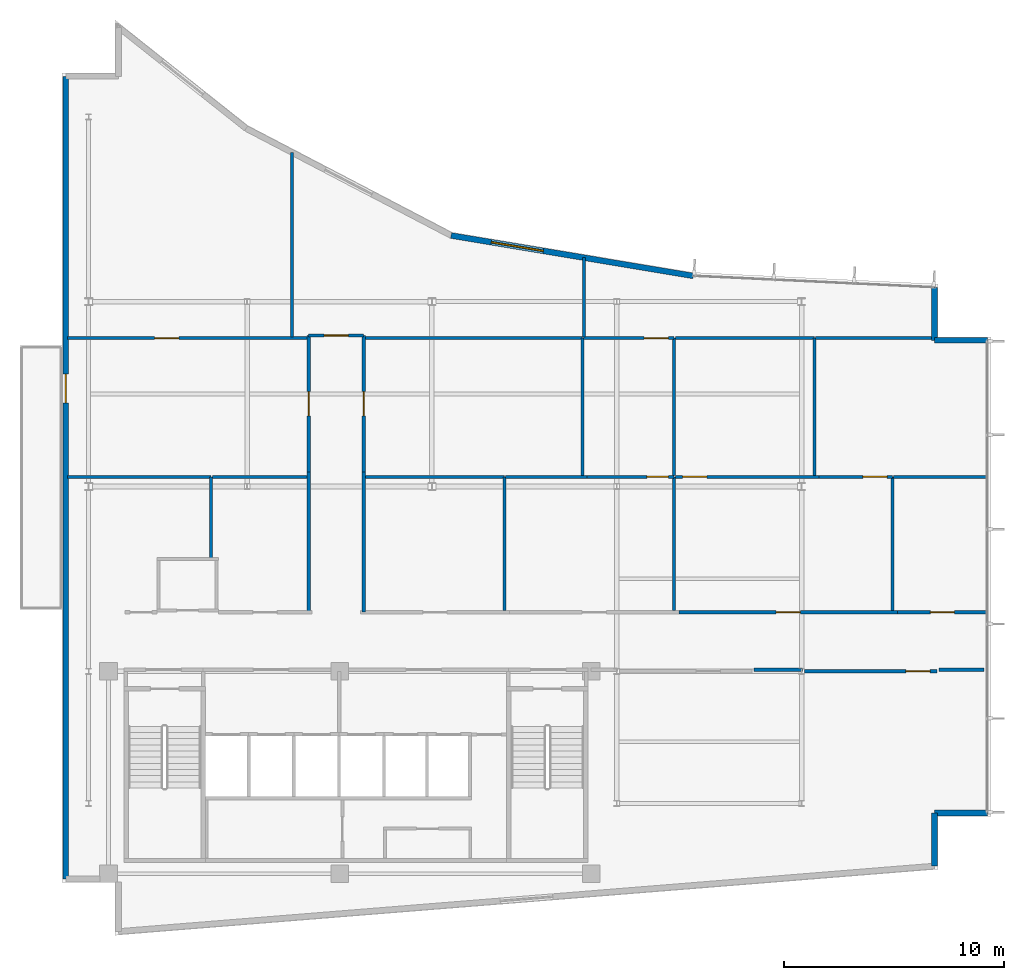
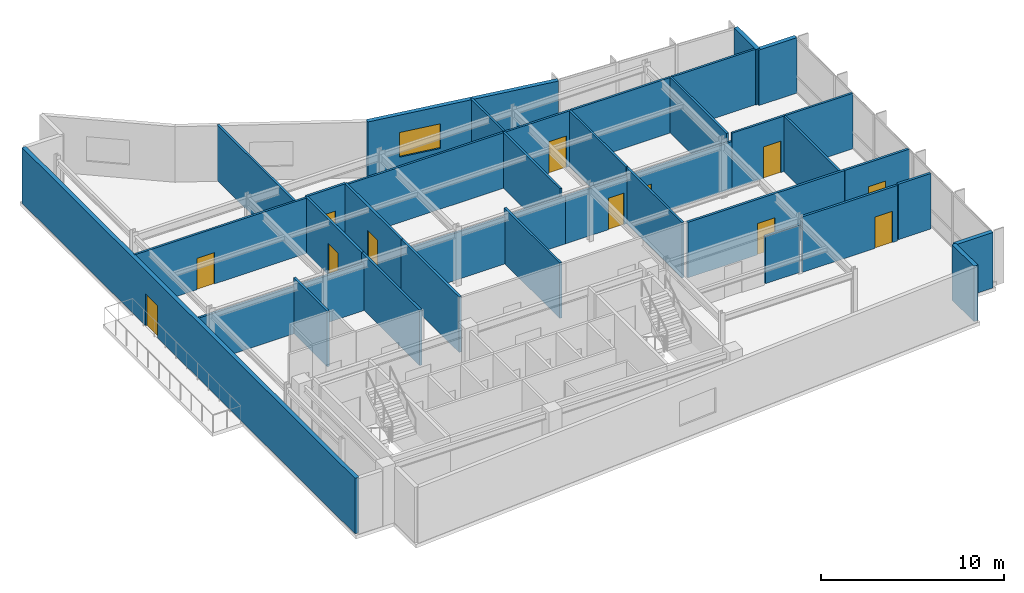
# One storey, part 12 of 16: 38 walls, 12 doors, 1 window, 13 openings.
"""IFC4 building model written with IfcOpenShell, lengths in metres."""

from ifc_helpers import new_model, si_unit, direction, frame, frame_2d, origin, place, context, subcontext, project, spatial, rectangle, extrude, material, layer, layer_set, type_object, element, fill, save


model = new_model("IFC4")

# Units and contexts
model_context = context("Model", 3, precision=1e-05, world=origin(), true_north=direction((0.0, 1.0)))
body_context = subcontext(model_context, "Body", "Model", "MODEL_VIEW")
ifc_project = project(units=[si_unit("LENGTHUNIT", "METRE"), si_unit("AREAUNIT", "SQUARE_METRE"), si_unit("VOLUMEUNIT", "CUBIC_METRE"), si_unit("PLANEANGLEUNIT", "RADIAN"), si_unit("MASSUNIT", "GRAM", prefix="KILO")], contexts=[model_context])

# Site, building, storey
site_placement = place(None, origin())
site = spatial("IfcSite", under=ifc_project, at=site_placement, CompositionType="ELEMENT")
building_placement = place(site_placement, origin())
building = spatial("IfcBuilding", under=site, at=building_placement, Name="Varnakote Quay Hospital", CompositionType="ELEMENT")
storey_placement = place(building_placement, frame((0.0, 0.0, 268.39990234375)))
storey = spatial("IfcBuildingStorey", under=building, at=storey_placement, Name="L66", CompositionType="ELEMENT", Elevation=268.39990234375)

# Walls
ifc_material_1 = material(Name="Fire-rated acoustic gypsum stud wall", Category="gypsum")
ifc_layer_1 = layer(ifc_material_1, 0.159912109375)
ifc_layer_set_1 = layer_set([ifc_layer_1], Name="Fire-rated acoustic gypsum stud wall")
wall_type_1 = type_object("IfcWallType", Name="WL-COMP-160", PredefinedType="PARTITIONING", material=ifc_layer_set_1)
wall_1_placement = place(storey_placement, frame((31.439208984375, 12.080078125, 0.0), z_axis=(0.0, 0.0, 1.0), x_axis=(1.0, 0.0, 0.0)))
element("IfcWall", 1, at=wall_1_placement, inside=storey, type_object=wall_type_1, Name="L66 Corridor South Gap Wall", PredefinedType="PARTITIONING", context=body_context, shape_type="SweptSolid", body=[
    extrude(rectangle(XDim=2.198486328125, YDim=0.159912109375, at=frame_2d((1.09912109375, 0.0))), origin(), (0.0, 0.0, 1.0), 3.156982421875),
])
wall_2_placement = place(storey_placement, frame((39.83935546875, 12.080078125, 0.0), z_axis=(0.0, 0.0, 1.0), x_axis=(1.0, 0.0, 0.0)))
element("IfcWall", 2, at=wall_2_placement, inside=storey, type_object=wall_type_1, Name="L66 Corridor South Gap Wall", PredefinedType="PARTITIONING", context=body_context, shape_type="SweptSolid", body=[
    extrude(rectangle(XDim=2.060546875, YDim=0.159912109375, at=frame_2d((1.0302734375, 0.0))), origin(), (0.0, 0.0, 1.0), 3.710205078125),
])
ifc_material_2 = material(Name="Precast concrete N50 (f'c 50 MPa)", Category="concrete")
ifc_layer_2 = layer(ifc_material_2, 0.260009765625)
ifc_layer_set_2 = layer_set([ifc_layer_2], Name="Precast concrete N50 (f'c 50 MPa)")
wall_type_2 = type_object("IfcWallType", Name="WL-EXT-BRICK-260", PredefinedType="STANDARD", material=ifc_layer_set_2)
wall_3_placement = place(storey_placement, frame((39.639892578125, 3.147705078125, 0.0), z_axis=(0.0, 0.0, 1.0), x_axis=(0.0, 1.0, 0.0)))
element("IfcWall", 3, at=wall_3_placement, inside=storey, type_object=wall_type_2, Name="L66 Brick-Faced Precast Exterior Wall", PredefinedType="STANDARD", context=body_context, shape_type="SweptSolid", body=[
    extrude(rectangle(XDim=2.412353515625, YDim=0.260009765625, at=frame_2d((1.2060546875, 0.0))), origin(), (0.0, 0.0, 1.0), 3.710205078125),
])
for number, where, z_axis, x_axis, name in (
    (4, (39.639892578125, 5.56005859375, 0.0), (0.0, 0.0, 1.0), (1.0, 0.0, 0.0), "L66 Brick-Faced Precast Exterior Wall"),
    (5, (42.0400390625, 27.0400390625, 0.0), (0.0, 0.0, 1.0), (-1.0, 0.0, 0.0), "L66 Brick-Faced Precast Exterior Wall"),
):
    element("IfcWall", number, at=place(storey_placement, frame(where, z_axis=z_axis, x_axis=x_axis)), inside=storey, type_object=wall_type_2, Name=name, PredefinedType="STANDARD", context=body_context, shape_type="SweptSolid", body=[
        extrude(rectangle(XDim=2.400146484375, YDim=0.260009765625, at=frame_2d((1.2001953125, 0.0))), origin(), (0.0, 0.0, 1.0), 3.710205078125),
    ])
wall_4_placement = place(storey_placement, frame((39.639892578125, 27.0400390625, 0.0), z_axis=(0.0, 0.0, 1.0), x_axis=(0.0, 1.0, 0.0)))
element("IfcWall", 6, at=wall_4_placement, inside=storey, type_object=wall_type_2, Name="L66 Brick-Faced Precast Exterior Wall", PredefinedType="STANDARD", context=body_context, shape_type="SweptSolid", body=[
    extrude(rectangle(XDim=2.407470703125, YDim=0.260009765625, at=frame_2d((1.20361328125, 0.0))), origin(), (0.0, 0.0, 1.0), 3.710205078125),
])

# Wall, opening, window
wall_5_placement = place(storey_placement, frame((28.678955078125, 29.968505859375, 0.0), z_axis=(0.0, 0.0, 1.0), x_axis=(-0.986343023061, 0.164704100918, 0.0)))
wall_5 = element("IfcWall", 7, at=wall_5_placement, inside=storey, type_object=wall_type_2, Name="L66 Brick-Faced Precast Exterior Wall", PredefinedType="STANDARD", context=body_context, shape_type="SweptSolid", body=[
    extrude(rectangle(XDim=11.15869140625, YDim=0.260009765625, at=frame_2d((5.579345703125, 0.0))), origin(), (0.0, 0.0, 1.0), 3.710205078125),
])
opening_1_placement = place(wall_5_placement, frame((6.908203125, 0.0, 0.89990234375)))
opening_1 = element("IfcOpeningElement", 8, at=opening_1_placement, cuts=wall_5, Name="Opening WN-0267", PredefinedType="OPENING", context=body_context, shape_type="SweptSolid", body=[
    extrude(rectangle(XDim=2.39990234375, YDim=1.64990234375, at=frame_2d((1.199951171875, 0.824951171875))), frame((0.0, 0.139892578125, 0.0), z_axis=(0.0, -1.0, 0.0), x_axis=(1.0, 0.0, 0.0)), (0.0, 0.0, 1.0), 0.280029296875),
])
ifc_material_3 = material(Name="Double-glazed low-E solar glass", Category="glass")
window_type = type_object("IfcWindowType", Name="WIN-CLIN-2400x1650", PartitioningType="SINGLE_PANEL", PredefinedType="WINDOW", material=ifc_material_3)
window_placement = place(opening_1_placement, origin())
window = element("IfcWindow", 9, at=window_placement, inside=storey, type_object=window_type, Name="L66 Solar-Control Clinical Window", OverallHeight=1.64990234375, OverallWidth=2.39990234375, PartitioningType="SINGLE_PANEL", PredefinedType="WINDOW", context=body_context, shape_type="SweptSolid", body=[
    extrude(rectangle(XDim=2.39990234375, YDim=1.64990234375, at=frame_2d((1.199951171875, 0.824951171875))), frame((0.0, 0.030029296875, 0.0), z_axis=(0.0, -1.0, 0.0), x_axis=(1.0, 0.0, 0.0)), (0.0, 0.0, 1.0), 0.06005859375),
])
fill(opening_1, window)

# Wall, opening, door
wall_6_placement = place(storey_placement, frame((0.159912109375, 39.0400390625, 0.0), z_axis=(0.0, 0.0, 1.0), x_axis=(0.0, -1.0, 0.0)))
wall_6 = element("IfcWall", 10, at=wall_6_placement, inside=storey, type_object=wall_type_2, Name="L66 Healing Terrace Portal Brick Wall", PredefinedType="STANDARD", context=body_context, shape_type="SweptSolid", body=[
    extrude(rectangle(XDim=36.47998046875, YDim=0.260009765625, at=frame_2d((18.239990234375, 0.0))), origin(), (0.0, 0.0, 1.0), 3.710205078125),
])
opening_2_placement = place(wall_6_placement, frame((13.53662109375, 0.0, 0.0)))
opening_2 = element("IfcOpeningElement", 11, at=opening_2_placement, cuts=wall_6, Name="Opening DT-L66", PredefinedType="OPENING", context=body_context, shape_type="SweptSolid", body=[
    extrude(rectangle(XDim=1.300048828125, YDim=2.14990234375, at=frame_2d((0.64990234375, 1.074951171875))), frame((0.0, 0.139892578125, 0.0), z_axis=(0.0, -1.0, 0.0), x_axis=(1.0, 0.0, 0.0)), (0.0, 0.0, 1.0), 0.280029296875),
])
ifc_material_4 = material(Name="Anodised aluminium glazed terrace door", Category="aluminium")
door_type_1 = type_object("IfcDoorType", Name="DR-EXT-TERR-1300x2150", OperationType="NOTDEFINED", PredefinedType="DOOR", material=ifc_material_4)
door_1_placement = place(opening_2_placement, origin())
door_1 = element("IfcDoor", 12, at=door_1_placement, inside=storey, type_object=door_type_1, Name="L66 Waterfront Healing Terrace Door", OperationType="SINGLE_SWING_LEFT", OverallHeight=2.14990234375, OverallWidth=1.300048828125, PredefinedType="DOOR", context=body_context, shape_type="SweptSolid", body=[
    extrude(rectangle(XDim=1.300048828125, YDim=2.14990234375, at=frame_2d((0.64990234375, 1.074951171875))), frame((0.0, 0.02490234375, 0.0), z_axis=(0.0, -1.0, 0.0), x_axis=(1.0, 0.0, 0.0)), (0.0, 0.0, 1.0), 0.050048828125),
])
fill(opening_2, door_1)

# Walls
ifc_material_5 = material(Name="Smoke-proof clinical partition", Category="gypsum")
ifc_layer_3 = layer(ifc_material_5, 0.135009765625)
ifc_layer_set_3 = layer_set([ifc_layer_3], Name="Smoke-proof clinical partition")
wall_type_3 = type_object("IfcWallType", Name="WL-SMOKE-135", PredefinedType="PARTITIONING", material=ifc_layer_set_3)
wall_7_placement = place(storey_placement, frame((6.760009765625, 17.139892578125, 0.0), z_axis=(0.0, 0.0, 1.0), x_axis=(0.0, 1.0, 0.0)))
element("IfcWall", 13, at=wall_7_placement, inside=storey, type_object=wall_type_3, Name="L66 Clinical Interior Partition", PredefinedType="PARTITIONING", context=body_context, shape_type="SweptSolid", body=[
    extrude(rectangle(XDim=3.7001953125, YDim=0.135009765625, at=frame_2d((1.85009765625, 0.0))), origin(), (0.0, 0.0, 1.0), 3.710205078125),
])
wall_8_placement = place(storey_placement, frame((6.760009765625, 20.840087890625, 0.0), z_axis=(0.0, 0.0, 1.0), x_axis=(-1.0, 0.0, 0.0)))
element("IfcWall", 14, at=wall_8_placement, inside=storey, type_object=wall_type_3, Name="L66 Clinical Interior Partition", PredefinedType="PARTITIONING", context=body_context, shape_type="SweptSolid", body=[
    extrude(rectangle(XDim=6.52001953125, YDim=0.135009765625, at=frame_2d((3.260009765625, 0.0))), origin(), (0.0, 0.0, 1.0), 3.156982421875),
])
wall_9_placement = place(storey_placement, frame((11.1201171875, 20.840087890625, 0.0), z_axis=(0.0, 0.0, 1.0), x_axis=(-1.0, 0.0, 0.0)))
element("IfcWall", 15, at=wall_9_placement, inside=storey, type_object=wall_type_3, Name="L66 Clinical Interior Partition", PredefinedType="PARTITIONING", context=body_context, shape_type="SweptSolid", body=[
    extrude(rectangle(XDim=4.302734375, YDim=0.135009765625, at=frame_2d((2.1513671875, 0.0))), origin(), (0.0, 0.0, 1.0), 3.156982421875),
])
wall_10_placement = place(storey_placement, frame((20.090087890625, 14.760009765625, 0.0), z_axis=(0.0, 0.0, 1.0), x_axis=(0.0, 1.0, 0.0)))
element("IfcWall", 16, at=wall_10_placement, inside=storey, type_object=wall_type_3, Name="L66 Clinical Interior Partition", PredefinedType="PARTITIONING", context=body_context, shape_type="SweptSolid", body=[
    extrude(rectangle(XDim=6.080078125, YDim=0.135009765625, at=frame_2d((3.0400390625, 0.0))), origin(), (0.0, 0.0, 1.0), 3.710205078125),
])
wall_11_placement = place(storey_placement, frame((20.090087890625, 20.840087890625, 0.0), z_axis=(0.0, 0.0, 1.0), x_axis=(-1.0, 0.0, 0.0)))
element("IfcWall", 17, at=wall_11_placement, inside=storey, type_object=wall_type_3, Name="L66 Clinical Interior Partition", PredefinedType="PARTITIONING", context=body_context, shape_type="SweptSolid", body=[
    extrude(rectangle(XDim=6.31005859375, YDim=0.135009765625, at=frame_2d((3.155029296875, 0.0))), origin(), (0.0, 0.0, 1.0), 3.156982421875),
])
wall_12_placement = place(storey_placement, frame((27.81005859375, 14.760009765625, 0.0), z_axis=(0.0, 0.0, 1.0), x_axis=(0.0, 1.0, 0.0)))
element("IfcWall", 18, at=wall_12_placement, inside=storey, type_object=wall_type_3, Name="L66 Clinical Interior Partition", PredefinedType="PARTITIONING", context=body_context, shape_type="SweptSolid", body=[
    extrude(rectangle(XDim=6.080078125, YDim=0.135009765625, at=frame_2d((3.0400390625, 0.0))), origin(), (0.0, 0.0, 1.0), 3.710205078125),
])
wall_13_placement = place(storey_placement, frame((23.847412109375, 20.840087890625, 0.0), z_axis=(0.0, 0.0, 1.0), x_axis=(-1.0, 0.0, 0.0)))
element("IfcWall", 19, at=wall_13_placement, inside=storey, type_object=wall_type_3, Name="L66 Clinical Interior Partition", PredefinedType="PARTITIONING", context=body_context, shape_type="SweptSolid", body=[
    extrude(rectangle(XDim=3.699951171875, YDim=0.135009765625, at=frame_2d((1.85009765625, 0.0))), origin(), (0.0, 0.0, 1.0), 3.156982421875),
])

# Wall, opening, door
wall_14_placement = place(storey_placement, frame((27.81005859375, 20.840087890625, 0.0), z_axis=(0.0, 0.0, 1.0), x_axis=(-1.0, 0.0, 0.0)))
wall_14 = element("IfcWall", 20, at=wall_14_placement, inside=storey, type_object=wall_type_3, Name="L66 Clinical Interior Partition", PredefinedType="PARTITIONING", context=body_context, shape_type="SweptSolid", body=[
    extrude(rectangle(XDim=3.96044921875, YDim=0.135009765625, at=frame_2d((1.980224609375, 0.0))), origin(), (0.0, 0.0, 1.0), 3.156982421875),
])
opening_3_placement = place(wall_14_placement, frame((0.264404296875, 0.0, 0.0)))
opening_3 = element("IfcOpeningElement", 21, at=opening_3_placement, cuts=wall_14, Name="Opening D-L66-MD08", PredefinedType="OPENING", context=body_context, shape_type="SweptSolid", body=[
    extrude(rectangle(XDim=0.97998046875, YDim=2.10009765625, at=frame_2d((0.489990234375, 1.050048828125))), frame((0.0, 0.077392578125, 0.0), z_axis=(0.0, -1.0, 0.0), x_axis=(1.0, 0.0, 0.0)), (0.0, 0.0, 1.0), 0.155029296875),
])
ifc_material_6 = material(Name="Accessible sanitary compartment door")
door_type_2 = type_object("IfcDoorType", Name="DR-WC-980x2100", OperationType="NOTDEFINED", PredefinedType="DOOR", material=ifc_material_6)
door_2_placement = place(opening_3_placement, origin())
door_2 = element("IfcDoor", 22, at=door_2_placement, inside=storey, type_object=door_type_2, Name="L66 Senior Clinician Office Door", OperationType="SINGLE_SWING_RIGHT", OverallHeight=2.10009765625, OverallWidth=0.97998046875, PredefinedType="DOOR", context=body_context, shape_type="SweptSolid", body=[
    extrude(rectangle(XDim=0.97998046875, YDim=2.10009765625, at=frame_2d((0.489990234375, 1.050048828125))), frame((0.0, 0.02490234375, 0.0), z_axis=(0.0, -1.0, 0.0), x_axis=(1.0, 0.0, 0.0)), (0.0, 0.0, 1.0), 0.050048828125),
])
fill(opening_3, door_2)

# Wall
wall_15_placement = place(storey_placement, frame((37.72998046875, 14.760009765625, 0.0), z_axis=(0.0, 0.0, 1.0), x_axis=(0.0, 1.0, 0.0)))
element("IfcWall", 23, at=wall_15_placement, inside=storey, type_object=wall_type_3, Name="L66 Clinical Interior Partition", PredefinedType="PARTITIONING", context=body_context, shape_type="SweptSolid", body=[
    extrude(rectangle(XDim=6.080078125, YDim=0.135009765625, at=frame_2d((3.0400390625, 0.0))), origin(), (0.0, 0.0, 1.0), 3.710205078125),
])

# Wall, opening, door
wall_16_placement = place(storey_placement, frame((34.387451171875, 20.840087890625, 0.0), z_axis=(0.0, 0.0, 1.0), x_axis=(-1.0, 0.0, 0.0)))
wall_16 = element("IfcWall", 24, at=wall_16_placement, inside=storey, type_object=wall_type_3, Name="L66 Clinical Interior Partition", PredefinedType="PARTITIONING", context=body_context, shape_type="SweptSolid", body=[
    extrude(rectangle(XDim=6.52001953125, YDim=0.135009765625, at=frame_2d((3.260009765625, 0.0))), origin(), (0.0, 0.0, 1.0), 3.156982421875),
])
opening_4_placement = place(wall_16_placement, frame((5.094482421875, 0.0, 0.0)))
opening_4 = element("IfcOpeningElement", 25, at=opening_4_placement, cuts=wall_16, Name="Opening D-L66-MD09", PredefinedType="OPENING", context=body_context, shape_type="SweptSolid", body=[
    extrude(rectangle(XDim=1.10009765625, YDim=2.10009765625, at=frame_2d((0.550048828125, 1.050048828125))), frame((0.0, 0.077392578125, 0.0), z_axis=(0.0, -1.0, 0.0), x_axis=(1.0, 0.0, 0.0)), (0.0, 0.0, 1.0), 0.155029296875),
])
ifc_material_7 = material(Name="Acoustic timber clinical consult door", Category="wood")
door_type_3 = type_object("IfcDoorType", Name="DR-CLIN-FD30S-1100x2100", OperationType="NOTDEFINED", PredefinedType="DOOR", material=ifc_material_7)
door_3_placement = place(opening_4_placement, origin())
door_3 = element("IfcDoor", 26, at=door_3_placement, inside=storey, type_object=door_type_3, Name="L66 Day Procedure Treatment Suite Door", OperationType="SINGLE_SWING_LEFT", OverallHeight=2.10009765625, OverallWidth=1.10009765625, PredefinedType="DOOR", context=body_context, shape_type="SweptSolid", body=[
    extrude(rectangle(XDim=1.10009765625, YDim=2.10009765625, at=frame_2d((0.550048828125, 1.050048828125))), frame((0.0, 0.02490234375, 0.0), z_axis=(0.0, -1.0, 0.0), x_axis=(1.0, 0.0, 0.0)), (0.0, 0.0, 1.0), 0.050048828125),
])
fill(opening_4, door_3)

wall_17_placement = place(storey_placement, frame((37.72998046875, 20.840087890625, 0.0), z_axis=(0.0, 0.0, 1.0), x_axis=(-1.0, 0.0, 0.0)))
wall_17 = element("IfcWall", 27, at=wall_17_placement, inside=storey, type_object=wall_type_3, Name="L66 Clinical Interior Partition", PredefinedType="PARTITIONING", context=body_context, shape_type="SweptSolid", body=[
    extrude(rectangle(XDim=3.340576171875, YDim=0.135009765625, at=frame_2d((1.67041015625, 0.0))), origin(), (0.0, 0.0, 1.0), 3.710205078125),
])
opening_5_placement = place(wall_17_placement, frame((0.24609375, 0.0, 0.0)))
opening_5 = element("IfcOpeningElement", 28, at=opening_5_placement, cuts=wall_17, Name="Opening D-L66-MD10", PredefinedType="OPENING", context=body_context, shape_type="SweptSolid", body=[
    extrude(rectangle(XDim=1.10009765625, YDim=2.10009765625, at=frame_2d((0.550048828125, 1.050048828125))), frame((0.0, 0.077392578125, 0.0), z_axis=(0.0, -1.0, 0.0), x_axis=(1.0, 0.0, 0.0)), (0.0, 0.0, 1.0), 0.155029296875),
])
door_4_placement = place(opening_5_placement, origin())
door_4 = element("IfcDoor", 29, at=door_4_placement, inside=storey, type_object=door_type_3, Name="L66 Endoscopy Infusion Treatment Suite Door", OperationType="SINGLE_SWING_RIGHT", OverallHeight=2.10009765625, OverallWidth=1.10009765625, PredefinedType="DOOR", context=body_context, shape_type="SweptSolid", body=[
    extrude(rectangle(XDim=1.10009765625, YDim=2.10009765625, at=frame_2d((0.550048828125, 1.050048828125))), frame((0.0, 0.02490234375, 0.0), z_axis=(0.0, -1.0, 0.0), x_axis=(1.0, 0.0, 0.0)), (0.0, 0.0, 1.0), 0.050048828125),
])
fill(opening_5, door_4)

# Wall
wall_18_placement = place(storey_placement, frame((42.0400390625, 20.840087890625, 0.0), z_axis=(0.0, 0.0, 1.0), x_axis=(-1.0, 0.0, 0.0)))
element("IfcWall", 30, at=wall_18_placement, inside=storey, type_object=wall_type_3, Name="L66 Clinical Interior Partition", PredefinedType="PARTITIONING", context=body_context, shape_type="SweptSolid", body=[
    extrude(rectangle(XDim=4.25244140625, YDim=0.135009765625, at=frame_2d((2.126220703125, 0.0))), origin(), (0.0, 0.0, 1.0), 3.710205078125),
])

# Wall, opening, door
wall_19_placement = place(storey_placement, frame((11.135009765625, 27.139892578125, 0.0), z_axis=(0.0, 0.0, 1.0), x_axis=(-1.0, 0.0, 0.0)))
wall_19 = element("IfcWall", 31, at=wall_19_placement, inside=storey, type_object=wall_type_3, Name="L66 Clinical Interior Partition", PredefinedType="PARTITIONING", context=body_context, shape_type="SweptSolid", body=[
    extrude(rectangle(XDim=10.89501953125, YDim=0.135009765625, at=frame_2d((5.447509765625, 0.0))), origin(), (0.0, 0.0, 1.0), 3.710205078125),
])
opening_6_placement = place(wall_19_placement, frame((5.8369140625, 0.0, 0.0)))
opening_6 = element("IfcOpeningElement", 32, at=opening_6_placement, cuts=wall_19, Name="Opening D-L66-MD11", PredefinedType="OPENING", context=body_context, shape_type="SweptSolid", body=[
    extrude(rectangle(XDim=1.10009765625, YDim=2.10009765625, at=frame_2d((0.550048828125, 1.050048828125))), frame((0.0, 0.077392578125, 0.0), z_axis=(0.0, -1.0, 0.0), x_axis=(1.0, 0.0, 0.0)), (0.0, 0.0, 1.0), 0.155029296875),
])
door_5_placement = place(opening_6_placement, origin())
door_5 = element("IfcDoor", 33, at=door_5_placement, inside=storey, type_object=door_type_3, Name="L66 Ward Preparation Pantry Door", OperationType="SINGLE_SWING_LEFT", OverallHeight=2.10009765625, OverallWidth=1.10009765625, PredefinedType="DOOR", context=body_context, shape_type="SweptSolid", body=[
    extrude(rectangle(XDim=1.10009765625, YDim=2.10009765625, at=frame_2d((0.550048828125, 1.050048828125))), frame((0.0, 0.02490234375, 0.0), z_axis=(0.0, -1.0, 0.0), x_axis=(1.0, 0.0, 0.0)), (0.0, 0.0, 1.0), 0.050048828125),
])
fill(opening_6, door_5)

# Walls
wall_20_placement = place(storey_placement, frame((23.639892578125, 20.8974609375, 0.0), z_axis=(0.0, 0.0, 1.0), x_axis=(0.0, 1.0, 0.0)))
element("IfcWall", 34, at=wall_20_placement, inside=storey, type_object=wall_type_3, Name="L66 Clinical Interior Partition", PredefinedType="PARTITIONING", context=body_context, shape_type="SweptSolid", body=[
    extrude(rectangle(XDim=6.242431640625, YDim=0.135009765625, at=frame_2d((3.12109375, 0.0))), origin(), (0.0, 0.0, 1.0), 3.710205078125),
])
wall_21_placement = place(storey_placement, frame((23.639892578125, 27.139892578125, 0.0), z_axis=(0.0, 0.0, 1.0), x_axis=(-1.0, 0.0, 0.0)))
element("IfcWall", 35, at=wall_21_placement, inside=storey, type_object=wall_type_3, Name="L66 Clinical Interior Partition", PredefinedType="PARTITIONING", context=body_context, shape_type="SweptSolid", body=[
    extrude(rectangle(XDim=9.85986328125, YDim=0.135009765625, at=frame_2d((4.929931640625, 0.0))), origin(), (0.0, 0.0, 1.0), 3.710205078125),
])
wall_22_placement = place(storey_placement, frame((27.81005859375, 20.8974609375, 0.0), z_axis=(0.0, 0.0, 1.0), x_axis=(0.0, 1.0, 0.0)))
element("IfcWall", 36, at=wall_22_placement, inside=storey, type_object=wall_type_3, Name="L66 Clinical Interior Partition", PredefinedType="PARTITIONING", context=body_context, shape_type="SweptSolid", body=[
    extrude(rectangle(XDim=6.242431640625, YDim=0.135009765625, at=frame_2d((3.12109375, 0.0))), origin(), (0.0, 0.0, 1.0), 3.710205078125),
])

# Wall, opening, door
wall_23_placement = place(storey_placement, frame((27.81005859375, 27.139892578125, 0.0), z_axis=(0.0, 0.0, 1.0), x_axis=(-1.0, 0.0, 0.0)))
wall_23 = element("IfcWall", 37, at=wall_23_placement, inside=storey, type_object=wall_type_3, Name="L66 Clinical Interior Partition", PredefinedType="PARTITIONING", context=body_context, shape_type="SweptSolid", body=[
    extrude(rectangle(XDim=4.112548828125, YDim=0.135009765625, at=frame_2d((2.05615234375, 0.0))), origin(), (0.0, 0.0, 1.0), 3.710205078125),
])
opening_7_placement = place(wall_23_placement, frame((0.265380859375, 0.0, 0.0)))
opening_7 = element("IfcOpeningElement", 38, at=opening_7_placement, cuts=wall_23, Name="Opening D-L66-MD13", PredefinedType="OPENING", context=body_context, shape_type="SweptSolid", body=[
    extrude(rectangle(XDim=1.10009765625, YDim=2.10009765625, at=frame_2d((0.550048828125, 1.050048828125))), frame((0.0, 0.077392578125, 0.0), z_axis=(0.0, -1.0, 0.0), x_axis=(1.0, 0.0, 0.0)), (0.0, 0.0, 1.0), 0.155029296875),
])
door_6_placement = place(opening_7_placement, origin())
door_6 = element("IfcDoor", 39, at=door_6_placement, inside=storey, type_object=door_type_3, Name="L66 Day Procedure Treatment Suite Door", OperationType="SINGLE_SWING_RIGHT", OverallHeight=2.10009765625, OverallWidth=1.10009765625, PredefinedType="DOOR", context=body_context, shape_type="SweptSolid", body=[
    extrude(rectangle(XDim=1.10009765625, YDim=2.10009765625, at=frame_2d((0.550048828125, 1.050048828125))), frame((0.0, 0.02490234375, 0.0), z_axis=(0.0, -1.0, 0.0), x_axis=(1.0, 0.0, 0.0)), (0.0, 0.0, 1.0), 0.050048828125),
])
fill(opening_7, door_6)

# Walls
wall_24_placement = place(storey_placement, frame((34.179931640625, 20.8974609375, 0.0), z_axis=(0.0, 0.0, 1.0), x_axis=(0.0, 1.0, 0.0)))
element("IfcWall", 40, at=wall_24_placement, inside=storey, type_object=wall_type_3, Name="L66 Clinical Interior Partition", PredefinedType="PARTITIONING", context=body_context, shape_type="SweptSolid", body=[
    extrude(rectangle(XDim=6.242431640625, YDim=0.135009765625, at=frame_2d((3.12109375, 0.0))), origin(), (0.0, 0.0, 1.0), 3.710205078125),
])
wall_25_placement = place(storey_placement, frame((34.179931640625, 27.139892578125, 0.0), z_axis=(0.0, 0.0, 1.0), x_axis=(-1.0, 0.0, 0.0)))
element("IfcWall", 41, at=wall_25_placement, inside=storey, type_object=wall_type_3, Name="L66 Clinical Interior Partition", PredefinedType="PARTITIONING", context=body_context, shape_type="SweptSolid", body=[
    extrude(rectangle(XDim=6.3125, YDim=0.135009765625, at=frame_2d((3.15625, 0.0))), origin(), (0.0, 0.0, 1.0), 3.710205078125),
])
wall_26_placement = place(storey_placement, frame((39.637939453125, 27.139892578125, 0.0), z_axis=(0.0, 0.0, 1.0), x_axis=(-1.0, 0.0, 0.0)))
element("IfcWall", 42, at=wall_26_placement, inside=storey, type_object=wall_type_3, Name="L66 Clinical Interior Partition", PredefinedType="PARTITIONING", context=body_context, shape_type="SweptSolid", body=[
    extrude(rectangle(XDim=5.400390625, YDim=0.135009765625, at=frame_2d((2.7001953125, 0.0))), origin(), (0.0, 0.0, 1.0), 3.710205078125),
])
wall_27_placement = place(storey_placement, frame((10.43994140625, 27.197509765625, 0.0), z_axis=(0.0, 0.0, 1.0), x_axis=(0.0, 1.0, 0.0)))
element("IfcWall", 43, at=wall_27_placement, inside=storey, type_object=wall_type_3, Name="L66 Clinical Interior Partition", PredefinedType="PARTITIONING", context=body_context, shape_type="SweptSolid", body=[
    extrude(rectangle(XDim=8.385498046875, YDim=0.135009765625, at=frame_2d((4.19287109375, 0.0))), origin(), (0.0, 0.0, 1.0), 3.710205078125),
])
wall_28_placement = place(storey_placement, frame((23.7099609375, 27.197509765625, 0.0), z_axis=(0.0, 0.0, 1.0), x_axis=(0.0, 1.0, 0.0)))
element("IfcWall", 44, at=wall_28_placement, inside=storey, type_object=wall_type_3, Name="L66 Clinical Interior Partition", PredefinedType="PARTITIONING", context=body_context, shape_type="SweptSolid", body=[
    extrude(rectangle(XDim=3.600830078125, YDim=0.135009765625, at=frame_2d((1.80029296875, 0.0))), origin(), (0.0, 0.0, 1.0), 3.710205078125),
])

# Wall, opening, door
ifc_material_8 = material(Name="Fire-rated clinical gypsum partition", Category="gypsum")
ifc_layer_4 = layer(ifc_material_8, 0.14990234375)
ifc_layer_set_4 = layer_set([ifc_layer_4], Name="Fire-rated clinical gypsum partition")
wall_type_4 = type_object("IfcWallType", Name="WL-WARD-150", PredefinedType="PARTITIONING", material=ifc_layer_set_4)
wall_29_placement = place(storey_placement, frame((39.75, 12.0, 0.0), z_axis=(0.0, 0.0, 1.0), x_axis=(-1.0, 0.0, 0.0)))
wall_29 = element("IfcWall", 45, at=wall_29_placement, inside=storey, type_object=wall_type_4, Name="L66 Clinical Interior Partition", PredefinedType="PARTITIONING", context=body_context, shape_type="SweptSolid", body=[
    extrude(rectangle(XDim=6.02294921875, YDim=0.14990234375, at=frame_2d((3.011474609375, 0.0))), origin(), (0.0, 0.0, 1.0), 3.710205078125),
])
opening_8_placement = place(wall_29_placement, frame((0.31298828125, 0.0, 0.0)))
opening_8 = element("IfcOpeningElement", 46, at=opening_8_placement, cuts=wall_29, Name="Opening D-L66-RM1", PredefinedType="OPENING", context=body_context, shape_type="SweptSolid", body=[
    extrude(rectangle(XDim=1.10009765625, YDim=2.10009765625, at=frame_2d((0.550048828125, 1.050048828125))), frame((0.0, 0.0849609375, 0.0), z_axis=(0.0, -1.0, 0.0), x_axis=(1.0, 0.0, 0.0)), (0.0, 0.0, 1.0), 0.169921875),
])
door_7_placement = place(opening_8_placement, origin())
door_7 = element("IfcDoor", 47, at=door_7_placement, inside=storey, type_object=door_type_3, Name="L66 Cardiac Telemetry Treatment Suite Door", OperationType="SINGLE_SWING_RIGHT", OverallHeight=2.10009765625, OverallWidth=1.10009765625, PredefinedType="DOOR", context=body_context, shape_type="SweptSolid", body=[
    extrude(rectangle(XDim=1.10009765625, YDim=2.10009765625, at=frame_2d((0.550048828125, 1.050048828125))), frame((0.0, 0.02490234375, 0.0), z_axis=(0.0, -1.0, 0.0), x_axis=(1.0, 0.0, 0.0)), (0.0, 0.0, 1.0), 0.050048828125),
])
fill(opening_8, door_7)

wall_30_placement = place(storey_placement, frame((37.9560546875, 14.679931640625, 0.0), z_axis=(0.0, 0.0, 1.0), x_axis=(-1.0, 0.0, 0.0)))
wall_30 = element("IfcWall", 48, at=wall_30_placement, inside=storey, type_object=wall_type_4, Name="L66 Clinical Interior Partition", PredefinedType="PARTITIONING", context=body_context, shape_type="SweptSolid", body=[
    extrude(rectangle(XDim=9.91796875, YDim=0.14990234375, at=frame_2d((4.958984375, 0.0))), origin(), (0.0, 0.0, 1.0), 3.710205078125),
])
opening_9_placement = place(wall_30_placement, frame((4.408935546875, 0.0, 0.0)))
opening_9 = element("IfcOpeningElement", 49, at=opening_9_placement, cuts=wall_30, Name="Opening D-L66-MD04", PredefinedType="OPENING", context=body_context, shape_type="SweptSolid", body=[
    extrude(rectangle(XDim=1.10009765625, YDim=2.10009765625, at=frame_2d((0.550048828125, 1.050048828125))), frame((0.0, 0.0849609375, 0.0), z_axis=(0.0, -1.0, 0.0), x_axis=(1.0, 0.0, 0.0)), (0.0, 0.0, 1.0), 0.169921875),
])
door_8_placement = place(opening_9_placement, origin())
door_8 = element("IfcDoor", 50, at=door_8_placement, inside=storey, type_object=door_type_3, Name="L66 Senior Clinician Office Door", OperationType="SINGLE_SWING_LEFT", OverallHeight=2.10009765625, OverallWidth=1.10009765625, PredefinedType="DOOR", context=body_context, shape_type="SweptSolid", body=[
    extrude(rectangle(XDim=1.10009765625, YDim=2.10009765625, at=frame_2d((0.550048828125, 1.050048828125))), frame((0.0, 0.02490234375, 0.0), z_axis=(0.0, -1.0, 0.0), x_axis=(1.0, 0.0, 0.0)), (0.0, 0.0, 1.0), 0.050048828125),
])
fill(opening_9, door_8)

wall_31_placement = place(storey_placement, frame((42.0400390625, 14.679931640625, 0.0), z_axis=(0.0, 0.0, 1.0), x_axis=(-1.0, 0.0, 0.0)))
wall_31 = element("IfcWall", 51, at=wall_31_placement, inside=storey, type_object=wall_type_4, Name="L66 Clinical Interior Partition", PredefinedType="PARTITIONING", context=body_context, shape_type="SweptSolid", body=[
    extrude(rectangle(XDim=4.08203125, YDim=0.14990234375, at=frame_2d((2.041015625, 0.0))), origin(), (0.0, 0.0, 1.0), 3.710205078125),
])
opening_10_placement = place(wall_31_placement, frame((1.490966796875, 0.0, 0.0)))
opening_10 = element("IfcOpeningElement", 52, at=opening_10_placement, cuts=wall_31, Name="Opening D-L66-MD05", PredefinedType="OPENING", context=body_context, shape_type="SweptSolid", body=[
    extrude(rectangle(XDim=1.10009765625, YDim=2.10009765625, at=frame_2d((0.550048828125, 1.050048828125))), frame((0.0, 0.0849609375, 0.0), z_axis=(0.0, -1.0, 0.0), x_axis=(1.0, 0.0, 0.0)), (0.0, 0.0, 1.0), 0.169921875),
])
door_9_placement = place(opening_10_placement, origin())
door_9 = element("IfcDoor", 53, at=door_9_placement, inside=storey, type_object=door_type_3, Name="L66 Day Procedure Treatment Suite Door", OperationType="SINGLE_SWING_RIGHT", OverallHeight=2.10009765625, OverallWidth=1.10009765625, PredefinedType="DOOR", context=body_context, shape_type="SweptSolid", body=[
    extrude(rectangle(XDim=1.10009765625, YDim=2.10009765625, at=frame_2d((0.550048828125, 1.050048828125))), frame((0.0, 0.02490234375, 0.0), z_axis=(0.0, -1.0, 0.0), x_axis=(1.0, 0.0, 0.0)), (0.0, 0.0, 1.0), 0.050048828125),
])
fill(opening_10, door_9)

# Walls
for number, where, z_axis, x_axis, name in (
    (54, (11.199951171875, 21.06591796875, 0.0), (0.0, 0.0, 1.0), (0.0, -1.0, 0.0), "L66 Clinical Interior Partition"),
    (55, (13.699951171875, 14.699951171875, 0.0), (0.0, 0.0, 1.0), (0.0, 1.0, 0.0), "L66 Clinical Interior Partition"),
):
    element("IfcWall", number, at=place(storey_placement, frame(where, z_axis=z_axis, x_axis=x_axis)), inside=storey, type_object=wall_type_4, Name=name, PredefinedType="PARTITIONING", context=body_context, shape_type="SweptSolid", body=[
        extrude(rectangle(XDim=6.365966796875, YDim=0.14990234375, at=frame_2d((3.18310546875, 0.0))), origin(), (0.0, 0.0, 1.0), 3.710205078125),
    ])

# Wall, opening, door
wall_32_placement = place(storey_placement, frame((11.199951171875, 27.260009765625, 0.0), z_axis=(0.0, 0.0, 1.0), x_axis=(0.0, -1.0, 0.0)))
wall_32 = element("IfcWall", 56, at=wall_32_placement, inside=storey, type_object=wall_type_4, Name="L66 Clinical Interior Partition", PredefinedType="PARTITIONING", context=body_context, shape_type="SweptSolid", body=[
    extrude(rectangle(XDim=6.19189453125, YDim=0.14990234375, at=frame_2d((3.095947265625, 0.0))), origin(), (0.0, 0.0, 1.0), 3.710205078125),
])
opening_11_placement = place(wall_32_placement, frame((2.5458984375, 0.0, 0.0)))
opening_11 = element("IfcOpeningElement", 57, at=opening_11_placement, cuts=wall_32, Name="Opening D-L66-MD06", PredefinedType="OPENING", context=body_context, shape_type="SweptSolid", body=[
    extrude(rectangle(XDim=1.10009765625, YDim=2.10009765625, at=frame_2d((0.550048828125, 1.050048828125))), frame((0.0, 0.0849609375, 0.0), z_axis=(0.0, -1.0, 0.0), x_axis=(1.0, 0.0, 0.0)), (0.0, 0.0, 1.0), 0.169921875),
])
door_10_placement = place(opening_11_placement, origin())
door_10 = element("IfcDoor", 58, at=door_10_placement, inside=storey, type_object=door_type_3, Name="L66 Endoscopy Infusion Treatment Suite Door", OperationType="SINGLE_SWING_LEFT", OverallHeight=2.10009765625, OverallWidth=1.10009765625, PredefinedType="DOOR", context=body_context, shape_type="SweptSolid", body=[
    extrude(rectangle(XDim=1.10009765625, YDim=2.10009765625, at=frame_2d((0.550048828125, 1.050048828125))), frame((0.0, 0.02490234375, 0.0), z_axis=(0.0, -1.0, 0.0), x_axis=(1.0, 0.0, 0.0)), (0.0, 0.0, 1.0), 0.050048828125),
])
fill(opening_11, door_10)

wall_33_placement = place(storey_placement, frame((13.699951171875, 21.068115234375, 0.0), z_axis=(0.0, 0.0, 1.0), x_axis=(0.0, 1.0, 0.0)))
wall_33 = element("IfcWall", 59, at=wall_33_placement, inside=storey, type_object=wall_type_4, Name="L66 Clinical Interior Partition", PredefinedType="PARTITIONING", context=body_context, shape_type="SweptSolid", body=[
    extrude(rectangle(XDim=6.19189453125, YDim=0.14990234375, at=frame_2d((3.095947265625, 0.0))), origin(), (0.0, 0.0, 1.0), 3.710205078125),
])
opening_12_placement = place(wall_33_placement, frame((2.5458984375, 0.0, 0.0)))
opening_12 = element("IfcOpeningElement", 60, at=opening_12_placement, cuts=wall_33, Name="Opening D-L66-MD07", PredefinedType="OPENING", context=body_context, shape_type="SweptSolid", body=[
    extrude(rectangle(XDim=1.10009765625, YDim=2.10009765625, at=frame_2d((0.550048828125, 1.050048828125))), frame((0.0, 0.0849609375, 0.0), z_axis=(0.0, -1.0, 0.0), x_axis=(1.0, 0.0, 0.0)), (0.0, 0.0, 1.0), 0.169921875),
])
door_11_placement = place(opening_12_placement, origin())
door_11 = element("IfcDoor", 61, at=door_11_placement, inside=storey, type_object=door_type_3, Name="L66 Ward Preparation Pantry Door", OperationType="SINGLE_SWING_RIGHT", OverallHeight=2.10009765625, OverallWidth=1.10009765625, PredefinedType="DOOR", context=body_context, shape_type="SweptSolid", body=[
    extrude(rectangle(XDim=1.10009765625, YDim=2.10009765625, at=frame_2d((0.550048828125, 1.050048828125))), frame((0.0, 0.02490234375, 0.0), z_axis=(0.0, -1.0, 0.0), x_axis=(1.0, 0.0, 0.0)), (0.0, 0.0, 1.0), 0.050048828125),
])
fill(opening_12, door_11)

wall_34_placement = place(storey_placement, frame((13.699951171875, 27.260009765625, 0.0), z_axis=(0.0, 0.0, 1.0), x_axis=(-1.0, 0.0, 0.0)))
wall_34 = element("IfcWall", 62, at=wall_34_placement, inside=storey, type_object=wall_type_4, Name="L66 Clinical Interior Partition", PredefinedType="PARTITIONING", context=body_context, shape_type="SweptSolid", body=[
    extrude(rectangle(XDim=2.5, YDim=0.14990234375, at=frame_2d((1.25, 0.0))), origin(), (0.0, 0.0, 1.0), 3.710205078125),
])
opening_13_placement = place(wall_34_placement, frame((0.699951171875, 0.0, 0.0)))
opening_13 = element("IfcOpeningElement", 63, at=opening_13_placement, cuts=wall_34, Name="Opening D-L66-MD12", PredefinedType="OPENING", context=body_context, shape_type="SweptSolid", body=[
    extrude(rectangle(XDim=1.10009765625, YDim=2.10009765625, at=frame_2d((0.550048828125, 1.050048828125))), frame((0.0, 0.0849609375, 0.0), z_axis=(0.0, -1.0, 0.0), x_axis=(1.0, 0.0, 0.0)), (0.0, 0.0, 1.0), 0.169921875),
])
door_12_placement = place(opening_13_placement, origin())
door_12 = element("IfcDoor", 64, at=door_12_placement, inside=storey, type_object=door_type_3, Name="L66 Senior Clinician Office Door", OperationType="SINGLE_SWING_LEFT", OverallHeight=2.10009765625, OverallWidth=1.10009765625, PredefinedType="DOOR", context=body_context, shape_type="SweptSolid", body=[
    extrude(rectangle(XDim=1.10009765625, YDim=2.10009765625, at=frame_2d((0.550048828125, 1.050048828125))), frame((0.0, 0.02490234375, 0.0), z_axis=(0.0, -1.0, 0.0), x_axis=(1.0, 0.0, 0.0)), (0.0, 0.0, 1.0), 0.050048828125),
])
fill(opening_13, door_12)

save(model, "model.ifc")
